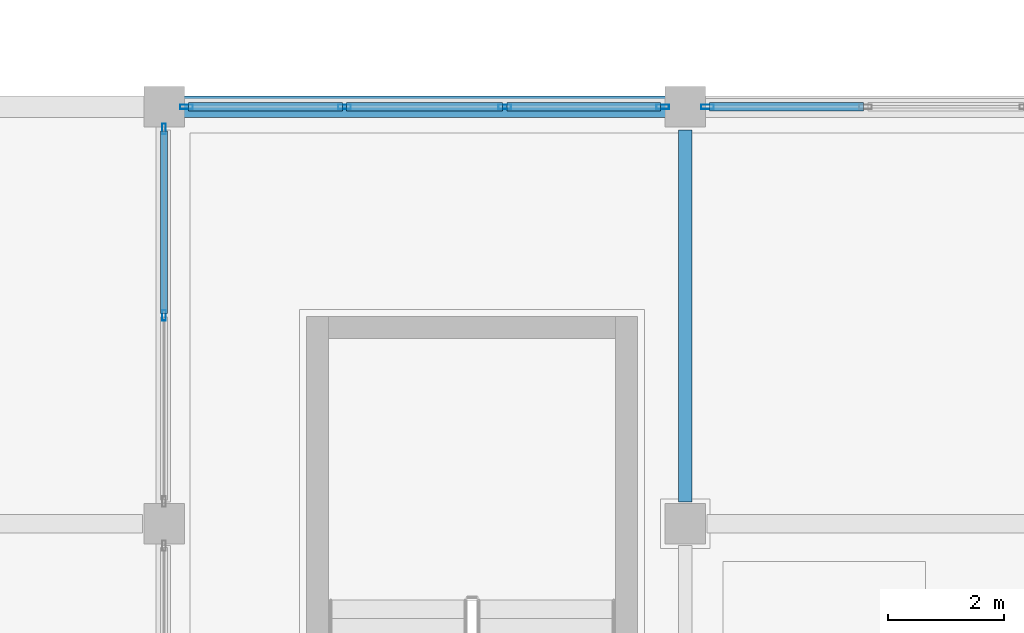
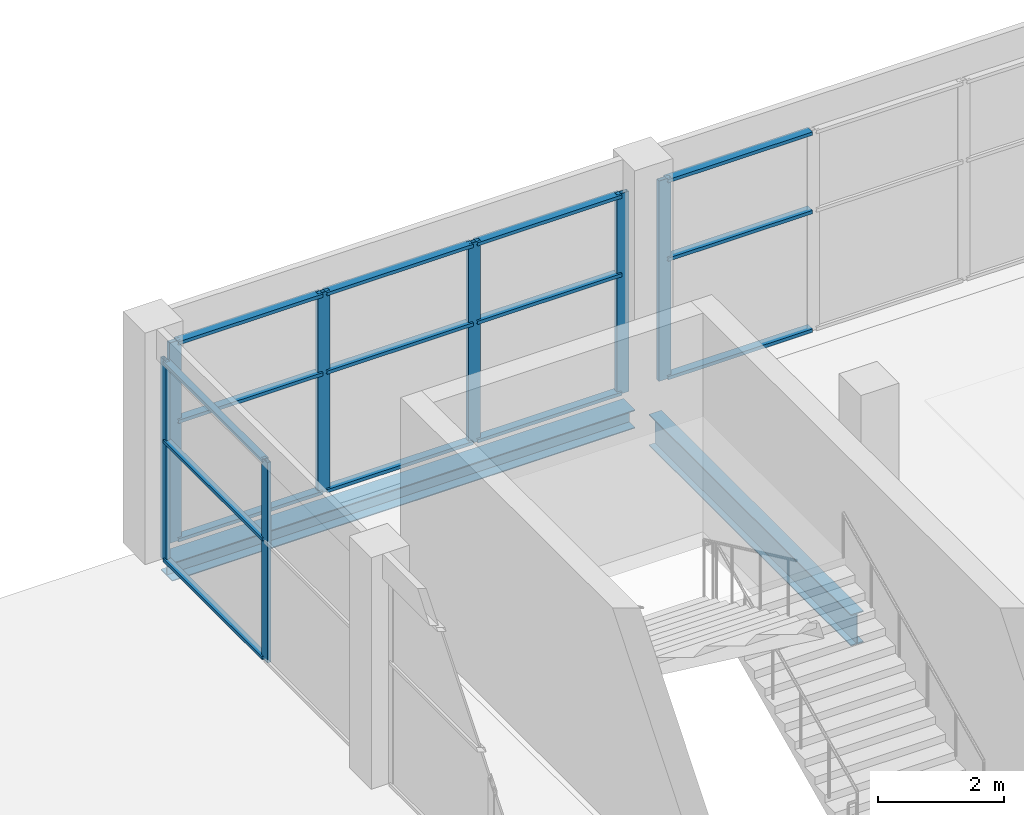
# One storey, part 71 of 151: 22 members, 2 beams, 3 elements without a shape of their own.
"""IFC4 building model written with IfcOpenShell, lengths in metres."""

from ifc_helpers import new_model, si_unit, direction, frame, origin, origin_2d, place, context, subcontext, project, spatial, hollow_rectangle, i_section, extrude, material, layer, layer_set, material_profile, profile_set, type_object, element, aggregate, save


model = new_model("IFC4")

# Units and contexts
model_context = context("Model", 3, precision=1e-05, world=origin(), true_north=direction((0.0, 1.0)))
body_context = subcontext(model_context, "Body", "Model", "MODEL_VIEW")
ifc_project = project(units=[si_unit("LENGTHUNIT", "METRE"), si_unit("AREAUNIT", "SQUARE_METRE"), si_unit("VOLUMEUNIT", "CUBIC_METRE"), si_unit("PLANEANGLEUNIT", "RADIAN"), si_unit("MASSUNIT", "GRAM", prefix="KILO")], contexts=[model_context])

# Site, building, storey
site_placement = place(None, origin())
site = spatial("IfcSite", under=ifc_project, at=site_placement, CompositionType="ELEMENT")
building_placement = place(site_placement, origin())
building = spatial("IfcBuilding", under=site, at=building_placement, Name="Celestram Park Convention Centre", CompositionType="ELEMENT")
storey_placement = place(building_placement, frame((0.0, 0.0, 10.800048828125)))
storey = spatial("IfcBuildingStorey", under=building, at=storey_placement, Name="L02", CompositionType="ELEMENT", Elevation=10.800048828125)

# Curtain wall, members
ifc_material_1 = material(Name="Anodised Aluminium Alloy 6063-T6", Category="aluminium")
ifc_layer_1 = layer(ifc_material_1, 0.179931640625)
ifc_layer_set_1 = layer_set([ifc_layer_1], Name="Anodised Aluminium Alloy 6063-T6")
curtain_wall_type_1 = type_object("IfcCurtainWallType", Name="ARC-CW-650X389", PredefinedType="NOTDEFINED", material=ifc_layer_set_1)
curtain_wall_1_placement = place(storey_placement, origin())
curtain_wall_1 = element("IfcCurtainWall", 1, at=curtain_wall_1_placement, inside=storey, type_object=curtain_wall_type_1, Name="Unitised curtain wall CU-L02-149", PredefinedType="NOTDEFINED")
ifc_material_profile_1 = material_profile(ifc_material_1, hollow_rectangle(XDim=0.06494140625, YDim=0.179931640625, WallThickness=0.00390625, at=origin_2d()), Name="ALU65X180X4")
ifc_profile_set_1 = profile_set([ifc_material_profile_1], Name="Anodised Aluminium Alloy 6063-T6")
member_type_1 = type_object("IfcMemberType", Name="ARC-CWM-150", PredefinedType="MULLION", material=ifc_profile_set_1)
member_1_placement = place(storey_placement, frame((36.0, 162.0, 0.0), z_axis=(0.0, 0.0, 1.0), x_axis=(-1.0, 0.0, 0.0)))
member_1 = element("IfcMember", 2, at=member_1_placement, type_object=member_type_1, Name="CW-65X38 mullion 2", PredefinedType="MULLION", context=body_context, shape_type="SweptSolid", body=[
    extrude(hollow_rectangle(XDim=0.06494140625, YDim=0.179931640625, WallThickness=0.00390625, at=origin_2d()), origin(), (0.0, 0.0, 1.0), 3.89404296875),
])
member_2_placement = place(storey_placement, frame((36.0, 165.219482421875, 0.0), z_axis=(0.0, 0.0, 1.0), x_axis=(-1.0, 0.0, 0.0)))
member_2 = element("IfcMember", 3, at=member_2_placement, type_object=member_type_1, Name="CW-65X38 mullion 3", PredefinedType="MULLION", context=body_context, shape_type="SweptSolid", body=[
    extrude(hollow_rectangle(XDim=0.06494140625, YDim=0.179931640625, WallThickness=0.00390625, at=origin_2d()), origin(), (0.0, 0.0, 1.0), 3.89404296875),
])

ifc_layer_2 = layer(ifc_material_1, 0.179931640625)
ifc_layer_set_2 = layer_set([ifc_layer_2], Name="Anodised Aluminium Alloy 6063-T6")
curtain_wall_type_2 = type_object("IfcCurtainWallType", Name="ARC-CW-830X389", PredefinedType="NOTDEFINED", material=ifc_layer_set_2)
curtain_wall_2_placement = place(storey_placement, origin())
curtain_wall_2 = element("IfcCurtainWall", 4, at=curtain_wall_2_placement, inside=storey, type_object=curtain_wall_type_2, Name="Unitised curtain wall CU-L02-150", PredefinedType="NOTDEFINED")
ifc_material_profile_2 = material_profile(ifc_material_1, hollow_rectangle(XDim=0.074951171875, YDim=0.219970703125, WallThickness=0.00390625, at=origin_2d()), Name="ALU75X220X4")
ifc_profile_set_2 = profile_set([ifc_material_profile_2], Name="Anodised Aluminium Alloy 6063-T6")
member_type_2 = type_object("IfcMemberType", Name="ARC-CWM-180", PredefinedType="MULLION", material=ifc_profile_set_2)
member_3_placement = place(storey_placement, frame((36.385498046875, 165.60009765625, 0.0), z_axis=(0.0, 0.0, 1.0), x_axis=(0.0, 1.0, 0.0)))
member_3 = element("IfcMember", 5, at=member_3_placement, type_object=member_type_2, Name="CW-83X38 mullion 1", PredefinedType="MULLION", context=body_context, shape_type="SweptSolid", body=[
    extrude(hollow_rectangle(XDim=0.074951171875, YDim=0.219970703125, WallThickness=0.00390625, at=origin_2d()), origin(), (0.0, 0.0, 1.0), 3.89404296875),
])
member_4_placement = place(storey_placement, frame((39.115966796875, 165.60009765625, 0.0), z_axis=(0.0, 0.0, 1.0), x_axis=(0.0, 1.0, 0.0)))
member_4 = element("IfcMember", 6, at=member_4_placement, type_object=member_type_2, Name="CW-83X38 mullion 2", PredefinedType="MULLION", context=body_context, shape_type="SweptSolid", body=[
    extrude(hollow_rectangle(XDim=0.074951171875, YDim=0.219970703125, WallThickness=0.00390625, at=origin_2d()), origin(), (0.0, 0.0, 1.0), 3.89404296875),
])
member_5_placement = place(storey_placement, frame((41.884033203125, 165.60009765625, 0.0), z_axis=(0.0, 0.0, 1.0), x_axis=(0.0, 1.0, 0.0)))
member_5 = element("IfcMember", 7, at=member_5_placement, type_object=member_type_2, Name="CW-83X38 mullion 3", PredefinedType="MULLION", context=body_context, shape_type="SweptSolid", body=[
    extrude(hollow_rectangle(XDim=0.074951171875, YDim=0.219970703125, WallThickness=0.00390625, at=origin_2d()), origin(), (0.0, 0.0, 1.0), 3.89404296875),
])
member_6_placement = place(storey_placement, frame((44.614501953125, 165.60009765625, 0.0), z_axis=(0.0, 0.0, 1.0), x_axis=(0.0, 1.0, 0.0)))
member_6 = element("IfcMember", 8, at=member_6_placement, type_object=member_type_2, Name="CW-83X38 mullion 4", PredefinedType="MULLION", context=body_context, shape_type="SweptSolid", body=[
    extrude(hollow_rectangle(XDim=0.074951171875, YDim=0.219970703125, WallThickness=0.00390625, at=origin_2d()), origin(), (0.0, 0.0, 1.0), 3.89404296875),
])

# Curtain wall, member
curtain_wall_3_placement = place(storey_placement, origin())
curtain_wall_3 = element("IfcCurtainWall", 9, at=curtain_wall_3_placement, inside=storey, type_object=curtain_wall_type_2, Name="Unitised curtain wall CU-L02-151", PredefinedType="NOTDEFINED")
member_7_placement = place(storey_placement, frame((45.385498046875, 165.60009765625, 0.0), z_axis=(0.0, 0.0, 1.0), x_axis=(0.0, 1.0, 0.0)))
member_7 = element("IfcMember", 10, at=member_7_placement, type_object=member_type_2, Name="CW-83X38 mullion 1", PredefinedType="MULLION", context=body_context, shape_type="SweptSolid", body=[
    extrude(hollow_rectangle(XDim=0.074951171875, YDim=0.219970703125, WallThickness=0.00390625, at=origin_2d()), origin(), (0.0, 0.0, 1.0), 3.89404296875),
])

# Member
ifc_material_profile_3 = material_profile(ifc_material_1, hollow_rectangle(XDim=0.1201171875, YDim=0.06005859375, WallThickness=0.0029296875, at=origin_2d()), Name="ALU120X60X3")
ifc_profile_set_3 = profile_set([ifc_material_profile_3], Name="Anodised Aluminium Alloy 6063-T6")
member_type_3 = type_object("IfcMemberType", Name="ARC-CWT-120", PredefinedType="USERDEFINED", material=ifc_profile_set_3)
member_8_placement = place(storey_placement, frame((36.0, 162.032470703125, 0.030029296875), z_axis=(0.0, 1.0, 0.0), x_axis=(-1.0, 0.0, 0.0)))
member_8 = element("IfcMember", 11, at=member_8_placement, type_object=member_type_3, Name="CW-65X38 transom 2.1", ObjectType="TRANSOM", PredefinedType="USERDEFINED", context=body_context, shape_type="SweptSolid", body=[
    extrude(hollow_rectangle(XDim=0.1201171875, YDim=0.06005859375, WallThickness=0.0029296875, at=origin_2d()), origin(), (0.0, 0.0, 1.0), 3.154541015625),
])

member_9_placement = place(storey_placement, frame((36.0, 162.032470703125, 2.3359375), z_axis=(0.0, 1.0, 0.0), x_axis=(-1.0, 0.0, 0.0)))
member_9 = element("IfcMember", 12, at=member_9_placement, type_object=member_type_3, Name="CW-65X38 transom 2.2", ObjectType="TRANSOM", PredefinedType="USERDEFINED", context=body_context, shape_type="SweptSolid", body=[
    extrude(hollow_rectangle(XDim=0.1201171875, YDim=0.06005859375, WallThickness=0.0029296875, at=origin_2d()), origin(), (0.0, 0.0, 1.0), 3.154541015625),
])

member_10_placement = place(storey_placement, frame((36.0, 162.032470703125, 3.864013671875), z_axis=(0.0, 1.0, 0.0), x_axis=(-1.0, 0.0, 0.0)))
member_10 = element("IfcMember", 13, at=member_10_placement, type_object=member_type_3, Name="CW-65X38 transom 2.3", ObjectType="TRANSOM", PredefinedType="USERDEFINED", context=body_context, shape_type="SweptSolid", body=[
    extrude(hollow_rectangle(XDim=0.1201171875, YDim=0.06005859375, WallThickness=0.0029296875, at=origin_2d()), origin(), (0.0, 0.0, 1.0), 3.154541015625),
])

aggregate(curtain_wall_1, [member_1, member_2, member_8, member_9, member_10])

ifc_material_profile_4 = material_profile(ifc_material_1, hollow_rectangle(XDim=0.14990234375, YDim=0.06494140625, WallThickness=0.0029296875, at=origin_2d()), Name="ALU150X65X3")
ifc_profile_set_4 = profile_set([ifc_material_profile_4], Name="Anodised Aluminium Alloy 6063-T6")
member_type_4 = type_object("IfcMemberType", Name="ARC-CWT-150", PredefinedType="USERDEFINED", material=ifc_profile_set_4)
member_11_placement = place(storey_placement, frame((36.423095703125, 165.60009765625, 0.032470703125), z_axis=(1.0, 0.0, 0.0), x_axis=(0.0, 1.0, 0.0)))
member_11 = element("IfcMember", 14, at=member_11_placement, type_object=member_type_4, Name="CW-83X38 transom 1.1", ObjectType="TRANSOM", PredefinedType="USERDEFINED", context=body_context, shape_type="SweptSolid", body=[
    extrude(hollow_rectangle(XDim=0.14990234375, YDim=0.06494140625, WallThickness=0.0029296875, at=origin_2d()), origin(), (0.0, 0.0, 1.0), 2.655517578125),
])

member_12_placement = place(storey_placement, frame((36.423095703125, 165.60009765625, 2.3359375), z_axis=(1.0, 0.0, 0.0), x_axis=(0.0, 1.0, 0.0)))
member_12 = element("IfcMember", 15, at=member_12_placement, type_object=member_type_4, Name="CW-83X38 transom 1.2", ObjectType="TRANSOM", PredefinedType="USERDEFINED", context=body_context, shape_type="SweptSolid", body=[
    extrude(hollow_rectangle(XDim=0.14990234375, YDim=0.06494140625, WallThickness=0.0029296875, at=origin_2d()), origin(), (0.0, 0.0, 1.0), 2.655517578125),
])

member_13_placement = place(storey_placement, frame((36.423095703125, 165.60009765625, 3.861572265625), z_axis=(1.0, 0.0, 0.0), x_axis=(0.0, 1.0, 0.0)))
member_13 = element("IfcMember", 16, at=member_13_placement, type_object=member_type_4, Name="CW-83X38 transom 1.3", ObjectType="TRANSOM", PredefinedType="USERDEFINED", context=body_context, shape_type="SweptSolid", body=[
    extrude(hollow_rectangle(XDim=0.14990234375, YDim=0.06494140625, WallThickness=0.0029296875, at=origin_2d()), origin(), (0.0, 0.0, 1.0), 2.655517578125),
])

member_14_placement = place(storey_placement, frame((39.153564453125, 165.60009765625, 0.032470703125), z_axis=(1.0, 0.0, 0.0), x_axis=(0.0, 1.0, 0.0)))
member_14 = element("IfcMember", 17, at=member_14_placement, type_object=member_type_4, Name="CW-83X38 transom 2.1", ObjectType="TRANSOM", PredefinedType="USERDEFINED", context=body_context, shape_type="SweptSolid", body=[
    extrude(hollow_rectangle(XDim=0.14990234375, YDim=0.06494140625, WallThickness=0.0029296875, at=origin_2d()), origin(), (0.0, 0.0, 1.0), 2.69287109375),
])

member_15_placement = place(storey_placement, frame((39.153564453125, 165.60009765625, 2.3359375), z_axis=(1.0, 0.0, 0.0), x_axis=(0.0, 1.0, 0.0)))
member_15 = element("IfcMember", 18, at=member_15_placement, type_object=member_type_4, Name="CW-83X38 transom 2.2", ObjectType="TRANSOM", PredefinedType="USERDEFINED", context=body_context, shape_type="SweptSolid", body=[
    extrude(hollow_rectangle(XDim=0.14990234375, YDim=0.06494140625, WallThickness=0.0029296875, at=origin_2d()), origin(), (0.0, 0.0, 1.0), 2.69287109375),
])

member_16_placement = place(storey_placement, frame((39.153564453125, 165.60009765625, 3.861572265625), z_axis=(1.0, 0.0, 0.0), x_axis=(0.0, 1.0, 0.0)))
member_16 = element("IfcMember", 19, at=member_16_placement, type_object=member_type_4, Name="CW-83X38 transom 2.3", ObjectType="TRANSOM", PredefinedType="USERDEFINED", context=body_context, shape_type="SweptSolid", body=[
    extrude(hollow_rectangle(XDim=0.14990234375, YDim=0.06494140625, WallThickness=0.0029296875, at=origin_2d()), origin(), (0.0, 0.0, 1.0), 2.69287109375),
])

member_17_placement = place(storey_placement, frame((41.92138671875, 165.60009765625, 0.032470703125), z_axis=(1.0, 0.0, 0.0), x_axis=(0.0, 1.0, 0.0)))
member_17 = element("IfcMember", 20, at=member_17_placement, type_object=member_type_4, Name="CW-83X38 transom 3.1", ObjectType="TRANSOM", PredefinedType="USERDEFINED", context=body_context, shape_type="SweptSolid", body=[
    extrude(hollow_rectangle(XDim=0.14990234375, YDim=0.06494140625, WallThickness=0.0029296875, at=origin_2d()), origin(), (0.0, 0.0, 1.0), 2.655517578125),
])

member_18_placement = place(storey_placement, frame((41.92138671875, 165.60009765625, 2.3359375), z_axis=(1.0, 0.0, 0.0), x_axis=(0.0, 1.0, 0.0)))
member_18 = element("IfcMember", 21, at=member_18_placement, type_object=member_type_4, Name="CW-83X38 transom 3.2", ObjectType="TRANSOM", PredefinedType="USERDEFINED", context=body_context, shape_type="SweptSolid", body=[
    extrude(hollow_rectangle(XDim=0.14990234375, YDim=0.06494140625, WallThickness=0.0029296875, at=origin_2d()), origin(), (0.0, 0.0, 1.0), 2.655517578125),
])

member_19_placement = place(storey_placement, frame((41.92138671875, 165.60009765625, 3.861572265625), z_axis=(1.0, 0.0, 0.0), x_axis=(0.0, 1.0, 0.0)))
member_19 = element("IfcMember", 22, at=member_19_placement, type_object=member_type_4, Name="CW-83X38 transom 3.3", ObjectType="TRANSOM", PredefinedType="USERDEFINED", context=body_context, shape_type="SweptSolid", body=[
    extrude(hollow_rectangle(XDim=0.14990234375, YDim=0.06494140625, WallThickness=0.0029296875, at=origin_2d()), origin(), (0.0, 0.0, 1.0), 2.655517578125),
])

aggregate(curtain_wall_2, [member_3, member_4, member_5, member_6, member_11, member_12, member_13, member_14, member_15, member_16, member_17, member_18, member_19])

member_20_placement = place(storey_placement, frame((45.423095703125, 165.60009765625, 0.032470703125), z_axis=(1.0, 0.0, 0.0), x_axis=(0.0, 1.0, 0.0)))
member_20 = element("IfcMember", 23, at=member_20_placement, type_object=member_type_4, Name="CW-83X38 transom 1.1", ObjectType="TRANSOM", PredefinedType="USERDEFINED", context=body_context, shape_type="SweptSolid", body=[
    extrude(hollow_rectangle(XDim=0.14990234375, YDim=0.06494140625, WallThickness=0.0029296875, at=origin_2d()), origin(), (0.0, 0.0, 1.0), 2.655517578125),
])

member_21_placement = place(storey_placement, frame((45.423095703125, 165.60009765625, 2.3359375), z_axis=(1.0, 0.0, 0.0), x_axis=(0.0, 1.0, 0.0)))
member_21 = element("IfcMember", 24, at=member_21_placement, type_object=member_type_4, Name="CW-83X38 transom 1.2", ObjectType="TRANSOM", PredefinedType="USERDEFINED", context=body_context, shape_type="SweptSolid", body=[
    extrude(hollow_rectangle(XDim=0.14990234375, YDim=0.06494140625, WallThickness=0.0029296875, at=origin_2d()), origin(), (0.0, 0.0, 1.0), 2.655517578125),
])

member_22_placement = place(storey_placement, frame((45.423095703125, 165.60009765625, 3.861572265625), z_axis=(1.0, 0.0, 0.0), x_axis=(0.0, 1.0, 0.0)))
member_22 = element("IfcMember", 25, at=member_22_placement, type_object=member_type_4, Name="CW-83X38 transom 1.3", ObjectType="TRANSOM", PredefinedType="USERDEFINED", context=body_context, shape_type="SweptSolid", body=[
    extrude(hollow_rectangle(XDim=0.14990234375, YDim=0.06494140625, WallThickness=0.0029296875, at=origin_2d()), origin(), (0.0, 0.0, 1.0), 2.655517578125),
])

aggregate(curtain_wall_3, [member_7, member_20, member_21, member_22])

# Beams
ifc_material_2 = material(Name="Steel ASTM A992 Grade 50", Category="steel")
ifc_material_profile_5 = material_profile(ifc_material_2, i_section(OverallWidth=0.22900390625, OverallDepth=0.612060546875, WebThickness=0.011962890625, FlangeThickness=0.01953125, at=origin_2d()), Name="W24X84")
ifc_profile_set_5 = profile_set([ifc_material_profile_5], Name="Steel ASTM A992 Grade 50")
beam_type_1 = type_object("IfcBeamType", Name="STR-BM-W24X84", PredefinedType="BEAM", material=ifc_profile_set_5)
beam_1_placement = place(storey_placement, frame((45.0, 158.77294921875, -0.5859375), z_axis=(0.0, 1.0, 0.0), x_axis=(-1.0, 0.0, 0.0)))
element("IfcBeam", 26, at=beam_1_placement, inside=storey, type_object=beam_type_1, Name="Primary Y-girder BG-L02-0038", PredefinedType="BEAM", context=body_context, shape_type="SweptSolid", body=[
    extrude(i_section(OverallWidth=0.22900390625, OverallDepth=0.612060546875, WebThickness=0.011962890625, FlangeThickness=0.01953125, at=origin_2d()), origin(), (0.0, 0.0, 1.0), 6.428955078125),
])
ifc_material_profile_6 = material_profile(ifc_material_2, i_section(OverallWidth=0.367919921875, OverallDepth=0.35595703125, WebThickness=0.01123046875, FlangeThickness=0.01806640625, at=origin_2d()), Name="W14X90")
ifc_profile_set_6 = profile_set([ifc_material_profile_6], Name="Steel ASTM A992 Grade 50")
beam_type_2 = type_object("IfcBeamType", Name="STR-SPN-W14X90", PredefinedType="SPANDREL", material=ifc_profile_set_6)
beam_2_placement = place(storey_placement, frame((36.248046875, 165.60009765625, -0.4580078125), z_axis=(1.0, 0.0, 0.0), x_axis=(0.0, 1.0, 0.0)))
element("IfcBeam", 27, at=beam_2_placement, inside=storey, type_object=beam_type_2, Name="Primary X-girder BG-L02-0023", PredefinedType="SPANDREL", context=body_context, shape_type="SweptSolid", body=[
    extrude(i_section(OverallWidth=0.367919921875, OverallDepth=0.35595703125, WebThickness=0.01123046875, FlangeThickness=0.01806640625, at=origin_2d()), origin(), (0.0, 0.0, 1.0), 8.50390625),
])

save(model, "model.ifc")
